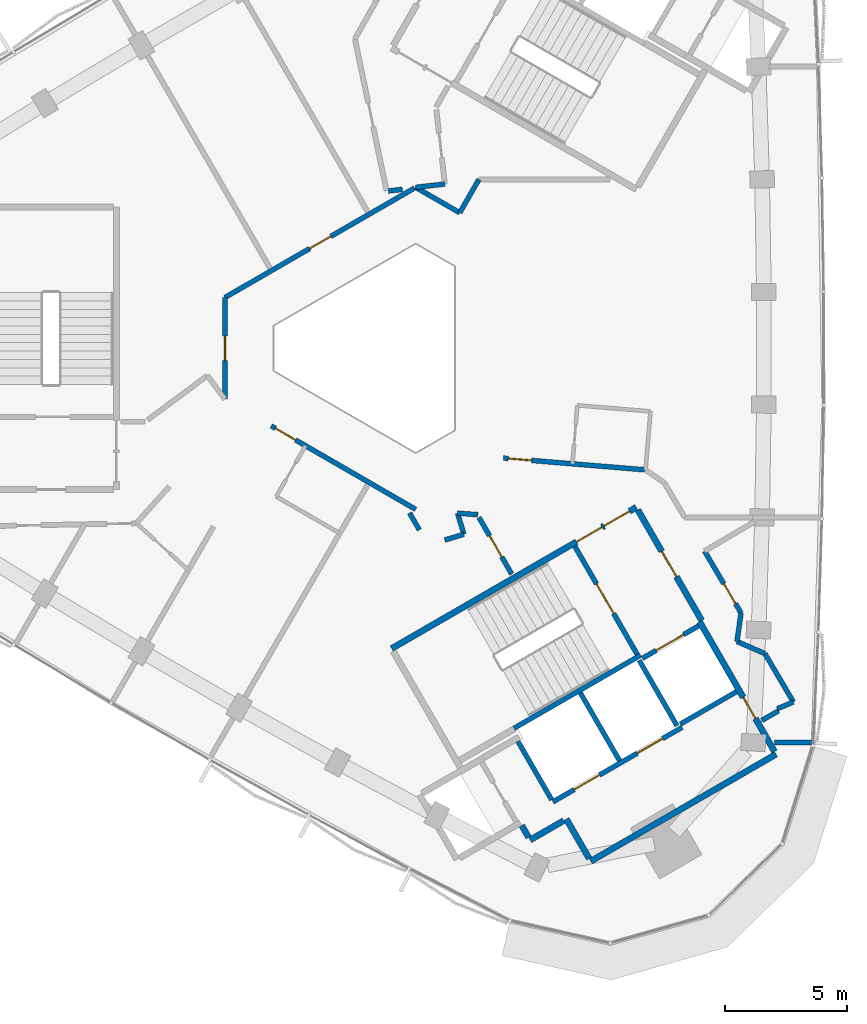
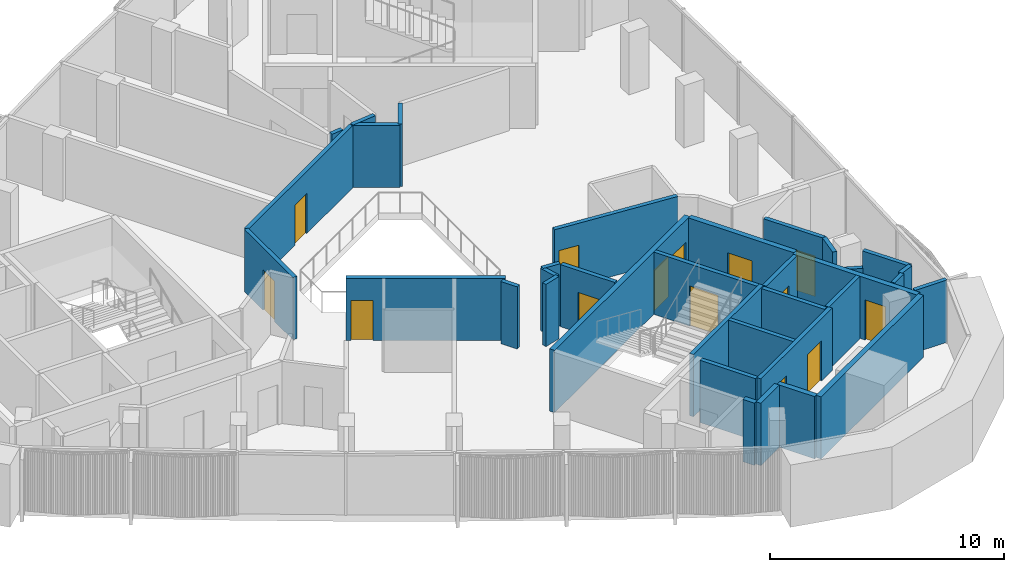
# One storey, part 7 of 12: 35 walls, 14 doors, 14 openings.
"""IFC4 building model written with IfcOpenShell, lengths in metres."""

from ifc_helpers import new_model, si_unit, direction, frame, frame_2d, origin, place, context, subcontext, project, spatial, rectangle, extrude, material, layer, layer_set, type_object, element, fill, save


model = new_model("IFC4")

# Units and contexts
model_context = context("Model", 3, precision=1e-05, world=origin(), true_north=direction((0.0, 1.0)))
body_context = subcontext(model_context, "Body", "Model", "MODEL_VIEW")
ifc_project = project(units=[si_unit("LENGTHUNIT", "METRE"), si_unit("AREAUNIT", "SQUARE_METRE"), si_unit("VOLUMEUNIT", "CUBIC_METRE"), si_unit("PLANEANGLEUNIT", "RADIAN"), si_unit("MASSUNIT", "GRAM", prefix="KILO")], contexts=[model_context])

# Site, building, storey
site_placement = place(None, origin())
site = spatial("IfcSite", under=ifc_project, at=site_placement, CompositionType="ELEMENT")
building_placement = place(site_placement, origin())
building = spatial("IfcBuilding", under=site, at=building_placement, Name="Tamra Quay Hotel Tower", CompositionType="ELEMENT")
storey_placement = place(building_placement, frame((0.0, 0.0, 280.199951171875)))
storey = spatial("IfcBuildingStorey", under=building, at=storey_placement, Name="L71", CompositionType="ELEMENT", Elevation=280.199951171875)

# Wall
ifc_material_1 = material(Name="Concrete M70", Category="concrete")
ifc_layer_1 = layer(ifc_material_1, 0.199951171875)
ifc_layer_set_1 = layer_set([ifc_layer_1], Name="Concrete M70 core wall 200")
wall_type_1 = type_object("IfcWallType", Name="Concrete M70 core wall 200", PredefinedType="SHEAR", material=ifc_layer_set_1)
wall_1_placement = place(storey_placement, frame((5.4189453125, -15.533935546875, 0.0), z_axis=(0.0, 0.0, 1.0), x_axis=(0.866029065029, 0.499993658486, 0.0)))
element("IfcWall", 1, at=wall_1_placement, inside=storey, type_object=wall_type_1, Name="CW2", PredefinedType="SHEAR", context=body_context, shape_type="SweptSolid", body=[
    extrude(rectangle(XDim=5.97412109375, YDim=0.199951171875, at=frame_2d((2.987060546875, 0.0))), origin(), (0.0, 0.0, 1.0), 3.25),
])

# Wall, openings, doors
wall_2_placement = place(storey_placement, frame((7.009765625, -18.54150390625, 0.0), z_axis=(0.0, 0.0, 1.0), x_axis=(0.866030299012, 0.499991521122, 0.0)))
wall_2 = element("IfcWall", 2, at=wall_2_placement, inside=storey, type_object=wall_type_1, Name="CW2", PredefinedType="SHEAR", context=body_context, shape_type="SweptSolid", body=[
    extrude(rectangle(XDim=6.10009765625, YDim=0.199951171875, at=frame_2d((3.050048828125, 0.0))), origin(), (0.0, 0.0, 1.0), 3.25),
])
opening_1_placement = place(wall_2_placement, frame((1.0, 0.0, 0.0)))
opening_1 = element("IfcOpeningElement", 3, at=opening_1_placement, cuts=wall_2, Name="Opening LD", PredefinedType="OPENING", context=body_context, shape_type="SweptSolid", body=[
    extrude(rectangle(XDim=1.199951171875, YDim=2.10009765625, at=frame_2d((0.60009765625, 1.050048828125))), frame((0.0, 0.10986328125, 0.0), z_axis=(0.0, -1.0, 0.0), x_axis=(1.0, 0.0, 0.0)), (0.0, 0.0, 1.0), 0.219970703125),
])
opening_2_placement = place(wall_2_placement, frame((3.982177734375, 0.0, 0.0)))
opening_2 = element("IfcOpeningElement", 4, at=opening_2_placement, cuts=wall_2, Name="Opening LD", PredefinedType="OPENING", context=body_context, shape_type="SweptSolid", body=[
    extrude(rectangle(XDim=1.199951171875, YDim=2.10009765625, at=frame_2d((0.60009765625, 1.050048828125))), frame((0.0, 0.10986328125, 0.0), z_axis=(0.0, -1.0, 0.0), x_axis=(1.0, 0.0, 0.0)), (0.0, 0.0, 1.0), 0.219970703125),
])
ifc_material_2 = material(Name="Landing door LD 1200 double door sliding")
door_type_1 = type_object("IfcDoorType", Name="Landing door LD 1200 double door sliding", OperationType="DOUBLE_DOOR_SLIDING", PredefinedType="DOOR", material=ifc_material_2)
door_1_placement = place(opening_1_placement, origin())
door_1 = element("IfcDoor", 5, at=door_1_placement, inside=storey, type_object=door_type_1, Name="LD", OperationType="DOUBLE_DOOR_SLIDING", OverallHeight=2.10009765625, OverallWidth=1.199951171875, PredefinedType="DOOR", context=body_context, shape_type="SweptSolid", body=[
    extrude(rectangle(XDim=1.199951171875, YDim=2.10009765625, at=frame_2d((0.60009765625, 1.050048828125))), frame((0.0, 0.02490234375, 0.0), z_axis=(0.0, -1.0, 0.0), x_axis=(1.0, 0.0, 0.0)), (0.0, 0.0, 1.0), 0.050048828125),
])
fill(opening_1, door_1)
door_2_placement = place(opening_2_placement, origin())
door_2 = element("IfcDoor", 6, at=door_2_placement, inside=storey, type_object=door_type_1, Name="LD", OperationType="DOUBLE_DOOR_SLIDING", OverallHeight=2.10009765625, OverallWidth=1.199951171875, PredefinedType="DOOR", context=body_context, shape_type="SweptSolid", body=[
    extrude(rectangle(XDim=1.199951171875, YDim=2.10009765625, at=frame_2d((0.60009765625, 1.050048828125))), frame((0.0, 0.02490234375, 0.0), z_axis=(0.0, -1.0, 0.0), x_axis=(1.0, 0.0, 0.0)), (0.0, 0.0, 1.0), 0.050048828125),
])
fill(opening_2, door_2)

# Wall, opening, door
wall_3_placement = place(storey_placement, frame((7.906494140625, -8.094482421875, 0.0), z_axis=(0.0, 0.0, 1.0), x_axis=(0.500027839223, -0.866009330205, 0.0)))
wall_3 = element("IfcWall", 7, at=wall_3_placement, inside=storey, type_object=wall_type_1, Name="CW2", PredefinedType="SHEAR", context=body_context, shape_type="SweptSolid", body=[
    extrude(rectangle(XDim=5.097900390625, YDim=0.199951171875, at=frame_2d((2.548828125, 0.0))), origin(), (0.0, 0.0, 1.0), 3.25),
])
opening_3_placement = place(wall_3_placement, frame((1.77392578125, 0.0, 0.0)))
opening_3 = element("IfcOpeningElement", 8, at=opening_3_placement, cuts=wall_3, Name="Opening FD2", PredefinedType="OPENING", context=body_context, shape_type="SweptSolid", body=[
    extrude(rectangle(XDim=1.39990234375, YDim=2.10009765625, at=frame_2d((0.699951171875, 1.050048828125))), frame((0.0, 0.10986328125, 0.0), z_axis=(0.0, -1.0, 0.0), x_axis=(1.0, 0.0, 0.0)), (0.0, 0.0, 1.0), 0.219970703125),
])
ifc_material_3 = material(Name="Core door FD2 1400x2100 RH")
door_type_2 = type_object("IfcDoorType", Name="Core door FD2 1400x2100 RH", OperationType="NOTDEFINED", PredefinedType="DOOR", material=ifc_material_3)
door_3_placement = place(opening_3_placement, origin())
door_3 = element("IfcDoor", 9, at=door_3_placement, inside=storey, type_object=door_type_2, Name="FD2", OperationType="SINGLE_SWING_RIGHT", OverallHeight=2.10009765625, OverallWidth=1.39990234375, PredefinedType="DOOR", context=body_context, shape_type="SweptSolid", body=[
    extrude(rectangle(XDim=1.39990234375, YDim=2.10009765625, at=frame_2d((0.699951171875, 1.050048828125))), frame((0.0, 0.02490234375, 0.0), z_axis=(0.0, -1.0, 0.0), x_axis=(1.0, 0.0, 0.0)), (0.0, 0.0, 1.0), 0.050048828125),
])
fill(opening_3, door_3)

# Walls
wall_4_placement = place(storey_placement, frame((8.131591796875, -14.084228515625, 0.0), z_axis=(0.0, 0.0, 1.0), x_axis=(0.499997778408, -0.866026686418, 0.0)))
element("IfcWall", 10, at=wall_4_placement, inside=storey, type_object=wall_type_1, Name="CW2", PredefinedType="SHEAR", context=body_context, shape_type="SweptSolid", body=[
    extrude(rectangle(XDim=3.1982421875, YDim=0.199951171875, at=frame_2d((1.59912109375, 0.0))), origin(), (0.0, 0.0, 1.0), 3.25),
])
wall_5_placement = place(storey_placement, frame((6.959716796875, -18.455078125, 0.0), z_axis=(0.0, 0.0, 1.0), x_axis=(-0.499926705758, 0.866067716099, 0.0)))
element("IfcWall", 11, at=wall_5_placement, inside=storey, type_object=wall_type_1, Name="CW2", PredefinedType="SHEAR", context=body_context, shape_type="SweptSolid", body=[
    extrude(rectangle(XDim=2.75927734375, YDim=0.199951171875, at=frame_2d((1.379638671875, 0.0))), origin(), (0.0, 0.0, 1.0), 3.25),
])
wall_6_placement = place(storey_placement, frame((12.087646484375, -15.4365234375, 0.0), z_axis=(0.0, 0.0, 1.0), x_axis=(-0.500026960575, 0.86600983753, 0.0)))
element("IfcWall", 12, at=wall_6_placement, inside=storey, type_object=wall_type_1, Name="CW2", PredefinedType="SHEAR", context=body_context, shape_type="SweptSolid", body=[
    extrude(rectangle(XDim=3.099853515625, YDim=0.199951171875, at=frame_2d((1.5498046875, 0.0))), origin(), (0.0, 0.0, 1.0), 3.25),
])

# Wall, opening, door
wall_7_placement = place(storey_placement, frame((10.666015625, -12.677734375, 0.0), z_axis=(0.0, 0.0, 1.0), x_axis=(0.866018407898, 0.500012117035, 0.0)))
wall_7 = element("IfcWall", 13, at=wall_7_placement, inside=storey, type_object=wall_type_1, Name="CW2", PredefinedType="SHEAR", context=body_context, shape_type="SweptSolid", body=[
    extrude(rectangle(XDim=2.65087890625, YDim=0.199951171875, at=frame_2d((1.325439453125, 0.0))), origin(), (0.0, 0.0, 1.0), 3.25),
])
opening_4_placement = place(wall_7_placement, frame((0.65185546875, 0.0, 0.0)))
opening_4 = element("IfcOpeningElement", 14, at=opening_4_placement, cuts=wall_7, Name="Opening LD", PredefinedType="OPENING", context=body_context, shape_type="SweptSolid", body=[
    extrude(rectangle(XDim=1.300048828125, YDim=2.10009765625, at=frame_2d((0.64990234375, 1.050048828125))), frame((0.0, 0.10986328125, 0.0), z_axis=(0.0, -1.0, 0.0), x_axis=(1.0, 0.0, 0.0)), (0.0, 0.0, 1.0), 0.219970703125),
])
ifc_material_4 = material(Name="Landing door LD 1300 sliding to right")
door_type_3 = type_object("IfcDoorType", Name="Landing door LD 1300 sliding to right", OperationType="NOTDEFINED", PredefinedType="DOOR", material=ifc_material_4)
door_4_placement = place(opening_4_placement, origin())
door_4 = element("IfcDoor", 15, at=door_4_placement, inside=storey, type_object=door_type_3, Name="LD", OperationType="SLIDING_TO_RIGHT", OverallHeight=2.10009765625, OverallWidth=1.300048828125, PredefinedType="DOOR", context=body_context, shape_type="SweptSolid", body=[
    extrude(rectangle(XDim=1.300048828125, YDim=2.10009765625, at=frame_2d((0.64990234375, 1.050048828125))), frame((0.0, 0.02490234375, 0.0), z_axis=(0.0, -1.0, 0.0), x_axis=(1.0, 0.0, 0.0)), (0.0, 0.0, 1.0), 0.050048828125),
])
fill(opening_4, door_4)

# Wall
wall_8_placement = place(storey_placement, frame((14.51171875, -14.037109375, 0.0), z_axis=(0.0, 0.0, 1.0), x_axis=(-0.866018407898, -0.500012117035, 0.0)))
element("IfcWall", 16, at=wall_8_placement, inside=storey, type_object=wall_type_1, Name="CW2", PredefinedType="SHEAR", context=body_context, shape_type="SweptSolid", body=[
    extrude(rectangle(XDim=2.65087890625, YDim=0.199951171875, at=frame_2d((1.325439453125, 0.0))), origin(), (0.0, 0.0, 1.0), 3.25),
])

# Wall, openings, doors
ifc_layer_2 = layer(ifc_material_1, 0.25)
ifc_layer_set_2 = layer_set([ifc_layer_2], Name="Concrete M70 core wall 250")
wall_type_2 = type_object("IfcWallType", Name="Concrete M70 core wall 250", PredefinedType="SHEAR", material=ifc_layer_set_2)
wall_9_placement = place(storey_placement, frame((0.417236328125, -12.27294921875, 0.0), z_axis=(0.0, 0.0, 1.0), x_axis=(0.866021906294, 0.500006057782, 0.0)))
wall_9 = element("IfcWall", 17, at=wall_9_placement, inside=storey, type_object=wall_type_2, Name="CW1", PredefinedType="SHEAR", context=body_context, shape_type="SweptSolid", body=[
    extrude(rectangle(XDim=11.550048828125, YDim=0.25, at=frame_2d((5.77490234375, 0.0))), origin(), (0.0, 0.0, 1.0), 3.25),
])
opening_5_placement = place(wall_9_placement, frame((10.024658203125, 0.0, 0.0)))
opening_5 = element("IfcOpeningElement", 18, at=opening_5_placement, cuts=wall_9, Name="Opening FD1", PredefinedType="OPENING", context=body_context, shape_type="SweptSolid", body=[
    extrude(rectangle(XDim=1.199951171875, YDim=2.10009765625, at=frame_2d((0.60009765625, 1.050048828125))), frame((0.0, 0.135009765625, 0.0), z_axis=(0.0, -1.0, 0.0), x_axis=(1.0, 0.0, 0.0)), (0.0, 0.0, 1.0), 0.27001953125),
])
opening_6_placement = place(wall_9_placement, frame((8.724609375, 0.0, 0.0)))
opening_6 = element("IfcOpeningElement", 19, at=opening_6_placement, cuts=wall_9, Name="Opening FD1", PredefinedType="OPENING", context=body_context, shape_type="SweptSolid", body=[
    extrude(rectangle(XDim=1.199951171875, YDim=2.10009765625, at=frame_2d((0.60009765625, 1.050048828125))), frame((0.0, 0.135009765625, 0.0), z_axis=(0.0, -1.0, 0.0), x_axis=(1.0, 0.0, 0.0)), (0.0, 0.0, 1.0), 0.27001953125),
])
ifc_material_5 = material(Name="Core door FD1 1200x2100 LH")
door_type_4 = type_object("IfcDoorType", Name="Core door FD1 1200x2100 LH", OperationType="NOTDEFINED", PredefinedType="DOOR", material=ifc_material_5)
door_5_placement = place(opening_5_placement, origin())
door_5 = element("IfcDoor", 20, at=door_5_placement, inside=storey, type_object=door_type_4, Name="FD1", OperationType="SINGLE_SWING_LEFT", OverallHeight=2.10009765625, OverallWidth=1.199951171875, PredefinedType="DOOR", context=body_context, shape_type="SweptSolid", body=[
    extrude(rectangle(XDim=1.199951171875, YDim=2.10009765625, at=frame_2d((0.60009765625, 1.050048828125))), frame((0.0, 0.02490234375, 0.0), z_axis=(0.0, -1.0, 0.0), x_axis=(1.0, 0.0, 0.0)), (0.0, 0.0, 1.0), 0.050048828125),
])
fill(opening_5, door_5)
ifc_material_6 = material(Name="Core door FD1 1200x2100 RH")
door_type_5 = type_object("IfcDoorType", Name="Core door FD1 1200x2100 RH", OperationType="NOTDEFINED", PredefinedType="DOOR", material=ifc_material_6)
door_6_placement = place(opening_6_placement, origin())
door_6 = element("IfcDoor", 21, at=door_6_placement, inside=storey, type_object=door_type_5, Name="FD1", OperationType="SINGLE_SWING_RIGHT", OverallHeight=2.10009765625, OverallWidth=1.199951171875, PredefinedType="DOOR", context=body_context, shape_type="SweptSolid", body=[
    extrude(rectangle(XDim=1.199951171875, YDim=2.10009765625, at=frame_2d((0.60009765625, 1.050048828125))), frame((0.0, 0.02490234375, 0.0), z_axis=(0.0, -1.0, 0.0), x_axis=(1.0, 0.0, 0.0)), (0.0, 0.0, 1.0), 0.050048828125),
])
fill(opening_6, door_6)

# Wall
wall_10_placement = place(storey_placement, frame((16.13330078125, -16.59375, 0.0), z_axis=(0.0, 0.0, 1.0), x_axis=(-0.866022959057, -0.500004234368, 0.0)))
element("IfcWall", 22, at=wall_10_placement, inside=storey, type_object=wall_type_2, Name="CW1", PredefinedType="SHEAR", context=body_context, shape_type="SweptSolid", body=[
    extrude(rectangle(XDim=8.75, YDim=0.25, at=frame_2d((4.375, 0.0))), origin(), (0.0, 0.0, 1.0), 3.25),
])

# Wall, opening, door
wall_11_placement = place(storey_placement, frame((13.00830078125, -11.18115234375, 0.0), z_axis=(0.0, 0.0, 1.0), x_axis=(0.500001955336, -0.866024274868, 0.0)))
wall_11 = element("IfcWall", 23, at=wall_11_placement, inside=storey, type_object=wall_type_2, Name="CW1", PredefinedType="SHEAR", context=body_context, shape_type="SweptSolid", body=[
    extrude(rectangle(XDim=6.12451171875, YDim=0.25, at=frame_2d((3.062255859375, 0.0))), origin(), (0.0, 0.0, 1.0), 3.25),
])
opening_7_placement = place(wall_11_placement, frame((3.562744140625, 0.0, 0.0)))
opening_7 = element("IfcOpeningElement", 24, at=opening_7_placement, cuts=wall_11, Name="Opening FD3", PredefinedType="OPENING", context=body_context, shape_type="SweptSolid", body=[
    extrude(rectangle(XDim=1.0, YDim=2.10009765625, at=frame_2d((0.5, 1.050048828125))), frame((0.0, 0.135009765625, 0.0), z_axis=(0.0, -1.0, 0.0), x_axis=(1.0, 0.0, 0.0)), (0.0, 0.0, 1.0), 0.27001953125),
])
ifc_material_7 = material(Name="Core door FD3 1000x2100 LH")
door_type_6 = type_object("IfcDoorType", Name="Core door FD3 1000x2100 LH", OperationType="NOTDEFINED", PredefinedType="DOOR", material=ifc_material_7)
door_7_placement = place(opening_7_placement, origin())
door_7 = element("IfcDoor", 25, at=door_7_placement, inside=storey, type_object=door_type_6, Name="FD3", OperationType="SINGLE_SWING_LEFT", OverallHeight=2.10009765625, OverallWidth=1.0, PredefinedType="DOOR", context=body_context, shape_type="SweptSolid", body=[
    extrude(rectangle(XDim=1.0, YDim=2.10009765625, at=frame_2d((0.5, 1.050048828125))), frame((0.0, 0.02490234375, 0.0), z_axis=(0.0, -1.0, 0.0), x_axis=(1.0, 0.0, 0.0)), (0.0, 0.0, 1.0), 0.050048828125),
])
fill(opening_7, door_7)

wall_12_placement = place(storey_placement, frame((10.482666015625, -6.6064453125, 0.0), z_axis=(0.0, 0.0, 1.0), x_axis=(0.49999885962, -0.866026062182, 0.0)))
wall_12 = element("IfcWall", 26, at=wall_12_placement, inside=storey, type_object=wall_type_2, Name="CW1", PredefinedType="SHEAR", context=body_context, shape_type="SweptSolid", body=[
    extrude(rectangle(XDim=5.224609375, YDim=0.25, at=frame_2d((2.6123046875, 0.0))), origin(), (0.0, 0.0, 1.0), 3.25),
])
opening_8_placement = place(wall_12_placement, frame((1.94970703125, 0.0, 0.0)))
opening_8 = element("IfcOpeningElement", 27, at=opening_8_placement, cuts=wall_12, Name="Opening D2", PredefinedType="OPENING", context=body_context, shape_type="SweptSolid", body=[
    extrude(rectangle(XDim=1.199951171875, YDim=2.10009765625, at=frame_2d((0.60009765625, 1.050048828125))), frame((0.0, 0.135009765625, 0.0), z_axis=(0.0, -1.0, 0.0), x_axis=(1.0, 0.0, 0.0)), (0.0, 0.0, 1.0), 0.27001953125),
])
ifc_material_8 = material(Name="Core door D2 1200x2100 LH")
door_type_7 = type_object("IfcDoorType", Name="Core door D2 1200x2100 LH", OperationType="NOTDEFINED", PredefinedType="DOOR", material=ifc_material_8)
door_8_placement = place(opening_8_placement, origin())
door_8 = element("IfcDoor", 28, at=door_8_placement, inside=storey, type_object=door_type_7, Name="D2", OperationType="SINGLE_SWING_LEFT", OverallHeight=2.10009765625, OverallWidth=1.199951171875, PredefinedType="DOOR", context=body_context, shape_type="SweptSolid", body=[
    extrude(rectangle(XDim=1.199951171875, YDim=2.10009765625, at=frame_2d((0.60009765625, 1.050048828125))), frame((0.0, 0.02490234375, 0.0), z_axis=(0.0, -1.0, 0.0), x_axis=(1.0, 0.0, 0.0)), (0.0, 0.0, 1.0), 0.050048828125),
])
fill(opening_8, door_8)

# Walls
wall_13_placement = place(storey_placement, frame((8.492919921875, -20.860107421875, 0.0), z_axis=(0.0, 0.0, 1.0), x_axis=(-0.500039802285, 0.866002422705, 0.0)))
element("IfcWall", 29, at=wall_13_placement, inside=storey, type_object=wall_type_2, Name="CW1", PredefinedType="SHEAR", context=body_context, shape_type="SweptSolid", body=[
    extrude(rectangle(XDim=1.864501953125, YDim=0.25, at=frame_2d((0.93212890625, 0.0))), origin(), (0.0, 0.0, 1.0), 3.25),
])
wall_14_placement = place(storey_placement, frame((7.451904296875, -19.30810546875, 0.0), z_axis=(0.0, 0.0, 1.0), x_axis=(-0.866044474677, -0.49996696679, 0.0)))
element("IfcWall", 30, at=wall_14_placement, inside=storey, type_object=wall_type_2, Name="CW1", PredefinedType="SHEAR", context=body_context, shape_type="SweptSolid", body=[
    extrude(rectangle(XDim=1.58447265625, YDim=0.25, at=frame_2d((0.792236328125, 0.0))), origin(), (0.0, 0.0, 1.0), 3.25),
])
wall_15_placement = place(storey_placement, frame((6.01708984375, -19.99169921875, 0.0), z_axis=(0.0, 0.0, 1.0), x_axis=(-0.500364886717, 0.865814633822, 0.0)))
element("IfcWall", 31, at=wall_15_placement, inside=storey, type_object=wall_type_2, Name="CW1", PredefinedType="SHEAR", context=body_context, shape_type="SweptSolid", body=[
    extrude(rectangle(XDim=0.55908203125, YDim=0.25, at=frame_2d((0.279541015625, 0.0))), origin(), (0.0, 0.0, 1.0), 3.25),
])

# Wall, opening, door
ifc_material_9 = material(Name="Partition corridor wall")
ifc_layer_3 = layer(ifc_material_9, 0.199951171875)
ifc_layer_set_3 = layer_set([ifc_layer_3], Name="Partition corridor wall")
wall_type_3 = type_object("IfcWallType", Name="Partition corridor wall", PredefinedType="PARTITIONING", material=ifc_layer_set_3)
wall_16_placement = place(storey_placement, frame((-6.39990234375, -2.077880859375, 0.0), z_axis=(0.0, 0.0, 1.0), x_axis=(0.0, 1.0, 0.0)))
wall_16 = element("IfcWall", 32, at=wall_16_placement, inside=storey, type_object=wall_type_3, Name="W-C", PredefinedType="PARTITIONING", context=body_context, shape_type="SweptSolid", body=[
    extrude(rectangle(XDim=4.156982421875, YDim=0.199951171875, at=frame_2d((2.07861328125, 0.0))), origin(), (0.0, 0.0, 1.0), 3.25),
])
opening_9_placement = place(wall_16_placement, frame((1.57861328125, 0.0, 0.0)))
opening_9 = element("IfcOpeningElement", 33, at=opening_9_placement, cuts=wall_16, Name="Opening L71-D008", PredefinedType="OPENING", context=body_context, shape_type="SweptSolid", body=[
    extrude(rectangle(XDim=1.0, YDim=2.10009765625, at=frame_2d((0.5, 1.050048828125))), frame((0.0, 0.10986328125, 0.0), z_axis=(0.0, -1.0, 0.0), x_axis=(1.0, 0.0, 0.0)), (0.0, 0.0, 1.0), 0.219970703125),
])
ifc_material_10 = material(Name="Door guest room 1000x2100")
door_type_8 = type_object("IfcDoorType", Name="Door guest room 1000x2100", OperationType="NOTDEFINED", PredefinedType="DOOR", material=ifc_material_10)
door_9_placement = place(opening_9_placement, origin())
door_9 = element("IfcDoor", 34, at=door_9_placement, inside=storey, type_object=door_type_8, Name="L71-D008", OperationType="SINGLE_SWING_LEFT", OverallHeight=2.10009765625, OverallWidth=1.0, PredefinedType="DOOR", context=body_context, shape_type="SweptSolid", body=[
    extrude(rectangle(XDim=1.0, YDim=2.10009765625, at=frame_2d((0.5, 1.050048828125))), frame((0.0, 0.02490234375, 0.0), z_axis=(0.0, -1.0, 0.0), x_axis=(1.0, 0.0, 0.0)), (0.0, 0.0, 1.0), 0.050048828125),
])
fill(opening_9, door_9)

wall_17_placement = place(storey_placement, frame((-6.39990234375, 2.07861328125, 0.0), z_axis=(0.0, 0.0, 1.0), x_axis=(0.866044821263, 0.499966366432, 0.0)))
wall_17 = element("IfcWall", 35, at=wall_17_placement, inside=storey, type_object=wall_type_3, Name="W-C", PredefinedType="PARTITIONING", context=body_context, shape_type="SweptSolid", body=[
    extrude(rectangle(XDim=8.953125, YDim=0.199951171875, at=frame_2d((4.4765625, 0.0))), origin(), (0.0, 0.0, 1.0), 3.25),
])
opening_10_placement = place(wall_17_placement, frame((4.003173828125, 0.0, 0.0)))
opening_10 = element("IfcOpeningElement", 36, at=opening_10_placement, cuts=wall_17, Name="Opening L71-D007", PredefinedType="OPENING", context=body_context, shape_type="SweptSolid", body=[
    extrude(rectangle(XDim=1.0, YDim=2.10009765625, at=frame_2d((0.5, 1.050048828125))), frame((0.0, 0.10986328125, 0.0), z_axis=(0.0, -1.0, 0.0), x_axis=(1.0, 0.0, 0.0)), (0.0, 0.0, 1.0), 0.219970703125),
])
door_10_placement = place(opening_10_placement, origin())
door_10 = element("IfcDoor", 37, at=door_10_placement, inside=storey, type_object=door_type_8, Name="L71-D007", OperationType="SINGLE_SWING_LEFT", OverallHeight=2.10009765625, OverallWidth=1.0, PredefinedType="DOOR", context=body_context, shape_type="SweptSolid", body=[
    extrude(rectangle(XDim=1.0, YDim=2.10009765625, at=frame_2d((0.5, 1.050048828125))), frame((0.0, 0.02490234375, 0.0), z_axis=(0.0, -1.0, 0.0), x_axis=(1.0, 0.0, 0.0)), (0.0, 0.0, 1.0), 0.050048828125),
])
fill(opening_10, door_10)

wall_18_placement = place(storey_placement, frame((-4.5048828125, -3.172119140625, 0.0), z_axis=(0.0, 0.0, 1.0), x_axis=(0.865815783666, -0.500362897061, 0.0)))
wall_18 = element("IfcWall", 38, at=wall_18_placement, inside=storey, type_object=wall_type_3, Name="W-C", PredefinedType="PARTITIONING", context=body_context, shape_type="SweptSolid", body=[
    extrude(rectangle(XDim=6.81884765625, YDim=0.199951171875, at=frame_2d((3.409423828125, 0.0))), origin(), (0.0, 0.0, 1.0), 3.25),
])
opening_11_placement = place(wall_18_placement, frame((0.199951171875, 0.0, 0.0)))
opening_11 = element("IfcOpeningElement", 39, at=opening_11_placement, cuts=wall_18, Name="Opening L71-D012", PredefinedType="OPENING", context=body_context, shape_type="SweptSolid", body=[
    extrude(rectangle(XDim=0.949951171875, YDim=2.10009765625, at=frame_2d((0.47509765625, 1.050048828125))), frame((0.0, 0.10986328125, 0.0), z_axis=(0.0, -1.0, 0.0), x_axis=(1.0, 0.0, 0.0)), (0.0, 0.0, 1.0), 0.219970703125),
])
ifc_material_11 = material(Name="Door guest room 950x2100")
door_type_9 = type_object("IfcDoorType", Name="Door guest room 950x2100", OperationType="NOTDEFINED", PredefinedType="DOOR", material=ifc_material_11)
door_11_placement = place(opening_11_placement, frame((0.949951171875, 0.0, 0.0), z_axis=(0.0, 0.0, 1.0), x_axis=(-1.0, 0.0, 0.0)))
door_11 = element("IfcDoor", 40, at=door_11_placement, inside=storey, type_object=door_type_9, Name="L71-D012", OperationType="SINGLE_SWING_LEFT", OverallHeight=2.10009765625, OverallWidth=0.949951171875, PredefinedType="DOOR", context=body_context, shape_type="SweptSolid", body=[
    extrude(rectangle(XDim=0.949951171875, YDim=2.10009765625, at=frame_2d((0.47509765625, 1.050048828125))), frame((0.0, 0.02490234375, 0.0), z_axis=(0.0, -1.0, 0.0), x_axis=(1.0, 0.0, 0.0)), (0.0, 0.0, 1.0), 0.050048828125),
])
fill(opening_11, door_11)

# Walls
wall_19_placement = place(storey_placement, frame((0.285888671875, 6.43408203125, 0.0), z_axis=(0.0, 0.0, 1.0), x_axis=(0.993674480486, 0.112298828274, 0.0)))
element("IfcWall", 41, at=wall_19_placement, inside=storey, type_object=wall_type_3, Name="W-C", PredefinedType="PARTITIONING", context=body_context, shape_type="SweptSolid", body=[
    extrude(rectangle(XDim=0.573974609375, YDim=0.199951171875, at=frame_2d((0.287109375, 0.0))), origin(), (0.0, 0.0, 1.0), 3.25),
])
wall_20_placement = place(storey_placement, frame((1.14794921875, -6.72802734375, 0.0), z_axis=(0.0, 0.0, 1.0), x_axis=(0.499696187967, -0.866200738704, 0.0)))
element("IfcWall", 42, at=wall_20_placement, inside=storey, type_object=wall_type_3, Name="W-C", PredefinedType="PARTITIONING", context=body_context, shape_type="SweptSolid", body=[
    extrude(rectangle(XDim=0.8046875, YDim=0.199951171875, at=frame_2d((0.40234375, 0.0))), origin(), (0.0, 0.0, 1.0), 3.25),
])
wall_21_placement = place(storey_placement, frame((1.39990234375, 6.58203125, 0.0), z_axis=(0.0, 0.0, 1.0), x_axis=(0.993556915844, 0.11333426216, 0.0)))
element("IfcWall", 43, at=wall_21_placement, inside=storey, type_object=wall_type_3, Name="W-C", PredefinedType="PARTITIONING", context=body_context, shape_type="SweptSolid", body=[
    extrude(rectangle(XDim=1.199951171875, YDim=0.199951171875, at=frame_2d((0.60009765625, 0.0))), origin(), (0.0, 0.0, 1.0), 3.25),
])
wall_22_placement = place(storey_placement, frame((1.39990234375, 6.58203125, 0.0), z_axis=(0.0, 0.0, 1.0), x_axis=(0.866066271601, -0.499929208183, 0.0)))
element("IfcWall", 44, at=wall_22_placement, inside=storey, type_object=wall_type_3, Name="W-C", PredefinedType="PARTITIONING", context=body_context, shape_type="SweptSolid", body=[
    extrude(rectangle(XDim=2.078369140625, YDim=0.199951171875, at=frame_2d((1.0390625, 0.0))), origin(), (0.0, 0.0, 1.0), 3.25),
])
wall_23_placement = place(storey_placement, frame((2.591064453125, -7.8369140625, 0.0), z_axis=(0.0, 0.0, 1.0), x_axis=(0.956974070788, 0.290173444409, 0.0)))
element("IfcWall", 45, at=wall_23_placement, inside=storey, type_object=wall_type_3, Name="W-C", PredefinedType="PARTITIONING", context=body_context, shape_type="SweptSolid", body=[
    extrude(rectangle(XDim=0.816162109375, YDim=0.199951171875, at=frame_2d((0.408203125, 0.0))), origin(), (0.0, 0.0, 1.0), 3.25),
])
wall_24_placement = place(storey_placement, frame((3.110107421875, -6.739013671875, 0.0), z_axis=(0.0, 0.0, 1.0), x_axis=(0.291053676179, -0.95670672496, 0.0)))
element("IfcWall", 46, at=wall_24_placement, inside=storey, type_object=wall_type_3, Name="W-C", PredefinedType="PARTITIONING", context=body_context, shape_type="SweptSolid", body=[
    extrude(rectangle(XDim=0.900146484375, YDim=0.199951171875, at=frame_2d((0.4501953125, 0.0))), origin(), (0.0, 0.0, 1.0), 3.25),
])
wall_25_placement = place(storey_placement, frame((3.110107421875, -6.739013671875, 0.0), z_axis=(0.0, 0.0, 1.0), x_axis=(0.997219513188, -0.074520081303, 0.0)))
element("IfcWall", 47, at=wall_25_placement, inside=storey, type_object=wall_type_3, Name="W-C", PredefinedType="PARTITIONING", context=body_context, shape_type="SweptSolid", body=[
    extrude(rectangle(XDim=0.83203125, YDim=0.199951171875, at=frame_2d((0.416015625, 0.0))), origin(), (0.0, 0.0, 1.0), 3.25),
])

# Wall, opening, door
wall_26_placement = place(storey_placement, frame((3.987060546875, -6.910888671875, 0.0), z_axis=(0.0, 0.0, 1.0), x_axis=(0.499458942258, -0.866337558345, 0.0)))
wall_26 = element("IfcWall", 48, at=wall_26_placement, inside=storey, type_object=wall_type_3, Name="W-C", PredefinedType="PARTITIONING", context=body_context, shape_type="SweptSolid", body=[
    extrude(rectangle(XDim=2.673828125, YDim=0.199951171875, at=frame_2d((1.3369140625, 0.0))), origin(), (0.0, 0.0, 1.0), 3.25),
])
opening_12_placement = place(wall_26_placement, frame((0.8671875, 0.0, 0.0)))
opening_12 = element("IfcOpeningElement", 49, at=opening_12_placement, cuts=wall_26, Name="Opening L71-D014", PredefinedType="OPENING", context=body_context, shape_type="SweptSolid", body=[
    extrude(rectangle(XDim=1.0, YDim=2.10009765625, at=frame_2d((0.5, 1.050048828125))), frame((0.0, 0.10986328125, 0.0), z_axis=(0.0, -1.0, 0.0), x_axis=(1.0, 0.0, 0.0)), (0.0, 0.0, 1.0), 0.219970703125),
])
door_12_placement = place(opening_12_placement, frame((1.0, 0.0, 0.0), z_axis=(0.0, 0.0, 1.0), x_axis=(-1.0, 0.0, 0.0)))
door_12 = element("IfcDoor", 50, at=door_12_placement, inside=storey, type_object=door_type_8, Name="L71-D014", OperationType="SINGLE_SWING_LEFT", OverallHeight=2.10009765625, OverallWidth=1.0, PredefinedType="DOOR", context=body_context, shape_type="SweptSolid", body=[
    extrude(rectangle(XDim=1.0, YDim=2.10009765625, at=frame_2d((0.5, 1.050048828125))), frame((0.0, 0.02490234375, 0.0), z_axis=(0.0, -1.0, 0.0), x_axis=(1.0, 0.0, 0.0)), (0.0, 0.0, 1.0), 0.050048828125),
])
fill(opening_12, door_12)

wall_27_placement = place(storey_placement, frame((4.988037109375, -4.487060546875, 0.0), z_axis=(0.0, 0.0, 1.0), x_axis=(0.996576293439, -0.08267823992, 0.0)))
wall_27 = element("IfcWall", 51, at=wall_27_placement, inside=storey, type_object=wall_type_3, Name="W-C", PredefinedType="PARTITIONING", context=body_context, shape_type="SweptSolid", body=[
    extrude(rectangle(XDim=5.83203125, YDim=0.199951171875, at=frame_2d((2.916015625, 0.0))), origin(), (0.0, 0.0, 1.0), 3.25),
])
opening_13_placement = place(wall_27_placement, frame((0.199951171875, 0.0, 0.0)))
opening_13 = element("IfcOpeningElement", 52, at=opening_13_placement, cuts=wall_27, Name="Opening L71-D002", PredefinedType="OPENING", context=body_context, shape_type="SweptSolid", body=[
    extrude(rectangle(XDim=0.949951171875, YDim=2.10009765625, at=frame_2d((0.47509765625, 1.050048828125))), frame((0.0, 0.10986328125, 0.0), z_axis=(0.0, -1.0, 0.0), x_axis=(1.0, 0.0, 0.0)), (0.0, 0.0, 1.0), 0.219970703125),
])
door_13_placement = place(opening_13_placement, origin())
door_13 = element("IfcDoor", 53, at=door_13_placement, inside=storey, type_object=door_type_9, Name="L71-D002", OperationType="SINGLE_SWING_LEFT", OverallHeight=2.10009765625, OverallWidth=0.949951171875, PredefinedType="DOOR", context=body_context, shape_type="SweptSolid", body=[
    extrude(rectangle(XDim=0.949951171875, YDim=2.10009765625, at=frame_2d((0.47509765625, 1.050048828125))), frame((0.0, 0.02490234375, 0.0), z_axis=(0.0, -1.0, 0.0), x_axis=(1.0, 0.0, 0.0)), (0.0, 0.0, 1.0), 0.050048828125),
])
fill(opening_13, door_13)

wall_28_placement = place(storey_placement, frame((13.2099609375, -8.2890625, 0.0), z_axis=(0.0, 0.0, 1.0), x_axis=(0.507314348132, -0.861761076041, 0.0)))
wall_28 = element("IfcWall", 54, at=wall_28_placement, inside=storey, type_object=wall_type_3, Name="W-C", PredefinedType="PARTITIONING", context=body_context, shape_type="SweptSolid", body=[
    extrude(rectangle(XDim=2.93701171875, YDim=0.199951171875, at=frame_2d((1.468505859375, 0.0))), origin(), (0.0, 0.0, 1.0), 3.25),
])
opening_14_placement = place(wall_28_placement, frame((1.549072265625, 0.0, 0.0)))
opening_14 = element("IfcOpeningElement", 55, at=opening_14_placement, cuts=wall_28, Name="Opening L71-D001", PredefinedType="OPENING", context=body_context, shape_type="SweptSolid", body=[
    extrude(rectangle(XDim=0.949951171875, YDim=2.10009765625, at=frame_2d((0.47509765625, 1.050048828125))), frame((0.0, 0.10986328125, 0.0), z_axis=(0.0, -1.0, 0.0), x_axis=(1.0, 0.0, 0.0)), (0.0, 0.0, 1.0), 0.219970703125),
])
door_14_placement = place(opening_14_placement, origin())
door_14 = element("IfcDoor", 56, at=door_14_placement, inside=storey, type_object=door_type_9, Name="L71-D001", OperationType="SINGLE_SWING_LEFT", OverallHeight=2.10009765625, OverallWidth=0.949951171875, PredefinedType="DOOR", context=body_context, shape_type="SweptSolid", body=[
    extrude(rectangle(XDim=0.949951171875, YDim=2.10009765625, at=frame_2d((0.47509765625, 1.050048828125))), frame((0.0, 0.02490234375, 0.0), z_axis=(0.0, -1.0, 0.0), x_axis=(1.0, 0.0, 0.0)), (0.0, 0.0, 1.0), 0.050048828125),
])
fill(opening_14, door_14)

# Walls
wall_29_placement = place(storey_placement, frame((14.535888671875, -11.987060546875, 0.0), z_axis=(0.0, 0.0, 1.0), x_axis=(0.139331074948, 0.990245854096, 0.0)))
element("IfcWall", 57, at=wall_29_placement, inside=storey, type_object=wall_type_3, Name="W-C", PredefinedType="PARTITIONING", context=body_context, shape_type="SweptSolid", body=[
    extrude(rectangle(XDim=1.177490234375, YDim=0.199951171875, at=frame_2d((0.5888671875, 0.0))), origin(), (0.0, 0.0, 1.0), 3.25),
])
wall_30_placement = place(storey_placement, frame((14.535888671875, -11.987060546875, 0.0), z_axis=(0.0, 0.0, 1.0), x_axis=(0.918013607861, -0.396548881958, 0.0)))
element("IfcWall", 58, at=wall_30_placement, inside=storey, type_object=wall_type_3, Name="W-C", PredefinedType="PARTITIONING", context=body_context, shape_type="SweptSolid", body=[
    extrude(rectangle(XDim=1.242919921875, YDim=0.199951171875, at=frame_2d((0.62158203125, 0.0))), origin(), (0.0, 0.0, 1.0), 2.35009765625),
])
wall_31_placement = place(storey_placement, frame((15.5498046875, -15.213134765625, 0.0), z_axis=(0.0, 0.0, 1.0), x_axis=(0.865989998118, 0.500061319399, 0.0)))
element("IfcWall", 59, at=wall_31_placement, inside=storey, type_object=wall_type_3, Name="W-C", PredefinedType="PARTITIONING", context=body_context, shape_type="SweptSolid", body=[
    extrude(rectangle(XDim=0.7900390625, YDim=0.199951171875, at=frame_2d((0.39501953125, 0.0))), origin(), (0.0, 0.0, 1.0), 3.25),
])
wall_32_placement = place(storey_placement, frame((15.67724609375, -12.47998046875, 0.0), z_axis=(0.0, 0.0, 1.0), x_axis=(0.507256975253, -0.861794848591, 0.0)))
element("IfcWall", 60, at=wall_32_placement, inside=storey, type_object=wall_type_3, Name="W-C", PredefinedType="PARTITIONING", context=body_context, shape_type="SweptSolid", body=[
    extrude(rectangle(XDim=2.297119140625, YDim=0.199951171875, at=frame_2d((1.1484375, 0.0))), origin(), (0.0, 0.0, 1.0), 3.25),
])
wall_33_placement = place(storey_placement, frame((16.18505859375, -14.73291015625, 0.0), z_axis=(0.0, 0.0, 1.0), x_axis=(0.923472400107, 0.38366486188, 0.0)))
element("IfcWall", 61, at=wall_33_placement, inside=storey, type_object=wall_type_3, Name="W-C", PredefinedType="PARTITIONING", context=body_context, shape_type="SweptSolid", body=[
    extrude(rectangle(XDim=0.71142578125, YDim=0.199951171875, at=frame_2d((0.355712890625, 0.0))), origin(), (0.0, 0.0, 1.0), 3.25),
])
ifc_material_12 = material(Name="Partition party wall")
ifc_layer_4 = layer(ifc_material_12, 0.199951171875)
ifc_layer_set_4 = layer_set([ifc_layer_4], Name="Partition party wall")
wall_type_4 = type_object("IfcWallType", Name="Partition party wall", PredefinedType="PARTITIONING", material=ifc_layer_set_4)
wall_34_placement = place(storey_placement, frame((3.199951171875, 5.54296875, 0.0), z_axis=(0.0, 0.0, 1.0), x_axis=(0.499342032259, 0.86640494852, 0.0)))
element("IfcWall", 62, at=wall_34_placement, inside=storey, type_object=wall_type_4, Name="W-P", PredefinedType="PARTITIONING", context=body_context, shape_type="SweptSolid", body=[
    extrude(rectangle(XDim=1.57421875, YDim=0.199951171875, at=frame_2d((0.787109375, 0.0))), origin(), (0.0, 0.0, 1.0), 3.25),
])
wall_35_placement = place(storey_placement, frame((16.07177734375, -16.116943359375, 0.0), z_axis=(0.0, 0.0, 1.0), x_axis=(1.0, 0.0, 0.0)))
element("IfcWall", 63, at=wall_35_placement, inside=storey, type_object=wall_type_4, Name="W-P", PredefinedType="PARTITIONING", context=body_context, shape_type="SweptSolid", body=[
    extrude(rectangle(XDim=1.578369140625, YDim=0.199951171875, at=frame_2d((0.7890625, 0.0))), origin(), (0.0, 0.0, 1.0), 3.25),
])

save(model, "model.ifc")
